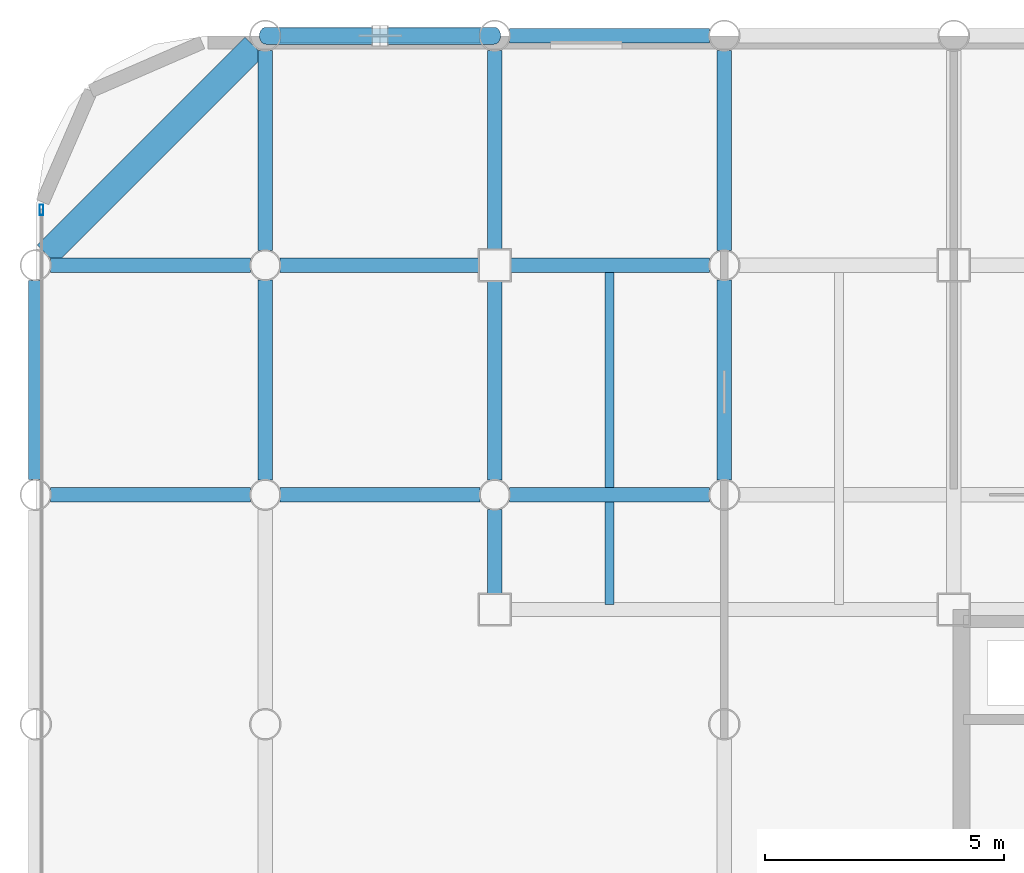
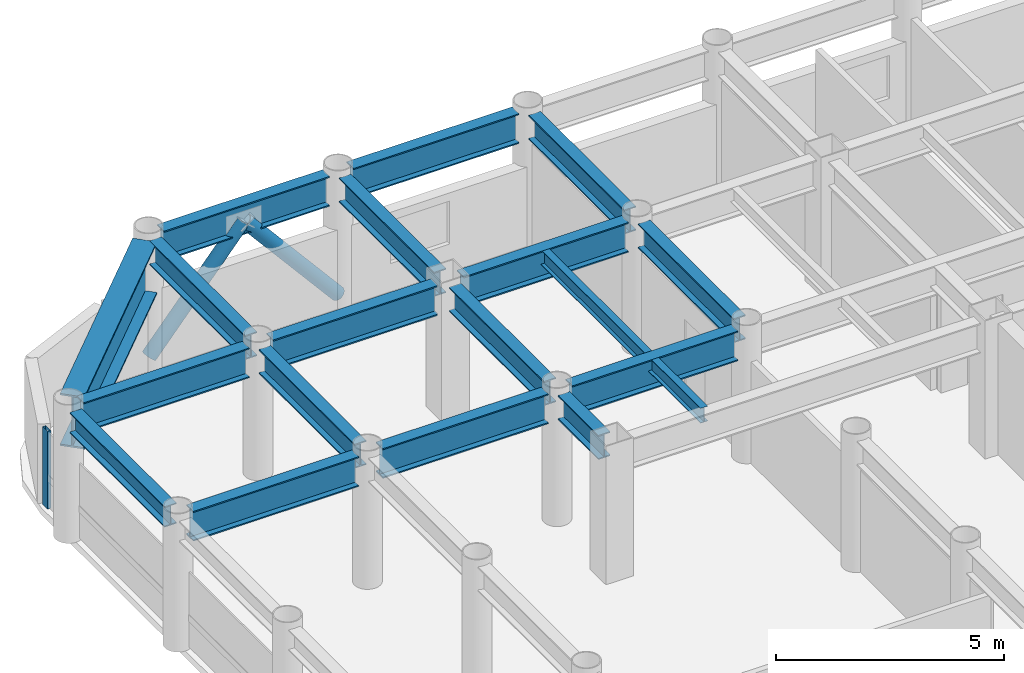
# One storey, part 9 of 19: 18 beams, 3 members, 1 element without a shape of its own.
"""IFC4 building model written with IfcOpenShell, lengths in metres."""

from ifc_helpers import new_model, si_unit, direction, frame, origin, origin_2d, place, context, subcontext, project, spatial, hollow_rectangle, hollow_circle, i_section, extrude, material, layer, layer_set, material_profile, profile_set, type_object, element, aggregate, save


model = new_model("IFC4")

# Units and contexts
model_context = context("Model", 3, precision=1e-05, world=origin(), true_north=direction((0.0, 1.0)))
body_context = subcontext(model_context, "Body", "Model", "MODEL_VIEW")
ifc_project = project(units=[si_unit("LENGTHUNIT", "METRE"), si_unit("AREAUNIT", "SQUARE_METRE"), si_unit("VOLUMEUNIT", "CUBIC_METRE"), si_unit("PLANEANGLEUNIT", "RADIAN"), si_unit("MASSUNIT", "GRAM", prefix="KILO")], contexts=[model_context])

# Site, building, storey
site_placement = place(None, origin())
site = spatial("IfcSite", under=ifc_project, at=site_placement, CompositionType="ELEMENT")
building_placement = place(site_placement, origin())
building = spatial("IfcBuilding", under=site, at=building_placement, Name="Kallvorn Hotel Tower", CompositionType="ELEMENT")
storey_placement = place(building_placement, frame((0.0, 0.0, 165.5)))
storey = spatial("IfcBuildingStorey", under=building, at=storey_placement, Name="L41", CompositionType="ELEMENT", Elevation=165.5)

# Beams
ifc_material_1 = material(Name="Structural steel S355JR", Category="steel")
ifc_material_profile_1 = material_profile(ifc_material_1, i_section(OverallWidth=0.300048828125, OverallDepth=0.550048828125, WebThickness=0.014892578125, FlangeThickness=0.029052734375, at=origin_2d()), Name="HE 550 B")
ifc_profile_set_1 = profile_set([ifc_material_profile_1], Name="Structural steel S355JR")
beam_type_1 = type_object("IfcBeamType", Name="BM_HE550B", PredefinedType="SPANDREL", material=ifc_profile_set_1)
beam_1_placement = place(storey_placement, frame((-33.60009765625, 9.919921875, 3.2451171875), z_axis=(0.0, 1.0, 0.0), x_axis=(-1.0, 0.0, 0.0)))
element("IfcBeam", 1, at=beam_1_placement, inside=storey, type_object=beam_type_1, Name="L42 Perimeter Spandrel 180", PredefinedType="SPANDREL", context=body_context, shape_type="SweptSolid", body=[
    extrude(i_section(OverallWidth=0.300048828125, OverallDepth=0.550048828125, WebThickness=0.014892578125, FlangeThickness=0.029052734375, at=origin_2d()), origin(), (0.0, 0.0, 1.0), 4.16015625),
])
ifc_material_2 = material(Name="Structural steel S355JR", Category="steel")
ifc_material_profile_2 = material_profile(ifc_material_2, i_section(OverallWidth=0.300048828125, OverallDepth=0.64990234375, WebThickness=0.01611328125, FlangeThickness=0.031005859375, at=origin_2d()), Name="HE 650 B")
ifc_profile_set_2 = profile_set([ifc_material_profile_2], Name="Structural steel S355JR")
beam_type_2 = type_object("IfcBeamType", Name="BM_HE650B", PredefinedType="BEAM", material=ifc_profile_set_2)
for number, where, z_axis, x_axis, name in (
    (2, (-28.800048828125, 9.905029296875, 3.195068359375), (0.0, 1.0, 0.0), (-1.0, 0.0, 0.0), "L42 Primary Y-Girder 80"),
    (3, (-28.800048828125, 14.705078125, 3.195068359375), (0.0, 1.0, 0.0), (-1.0, 0.0, 0.0), "L42 Primary Y-Girder 81"),
):
    element("IfcBeam", number, at=place(storey_placement, frame(where, z_axis=z_axis, x_axis=x_axis)), inside=storey, type_object=beam_type_2, Name=name, PredefinedType="BEAM", context=body_context, shape_type="SweptSolid", body=[
        extrude(i_section(OverallWidth=0.300048828125, OverallDepth=0.64990234375, WebThickness=0.01611328125, FlangeThickness=0.031005859375, at=origin_2d()), origin(), (0.0, 0.0, 1.0), 4.18994140625),
    ])
beam_2_placement = place(storey_placement, frame((-24.0, 7.52490234375, 3.195068359375), z_axis=(0.0, 1.0, 0.0), x_axis=(-1.0, 0.0, 0.0)))
element("IfcBeam", 4, at=beam_2_placement, inside=storey, type_object=beam_type_2, Name="L42 Primary Y-Girder 86", PredefinedType="BEAM", context=body_context, shape_type="SweptSolid", body=[
    extrude(i_section(OverallWidth=0.300048828125, OverallDepth=0.64990234375, WebThickness=0.01611328125, FlangeThickness=0.031005859375, at=origin_2d()), origin(), (0.0, 0.0, 1.0), 1.77001953125),
])
for number, where, z_axis, x_axis, name in (
    (5, (-24.0, 9.905029296875, 3.195068359375), (0.0, 1.0, 0.0), (-1.0, 0.0, 0.0), "L42 Primary Y-Girder 87"),
    (6, (-24.0, 14.72509765625, 3.195068359375), (0.0, 1.0, 0.0), (-1.0, 0.0, 0.0), "L42 Primary Y-Girder 88"),
):
    element("IfcBeam", number, at=place(storey_placement, frame(where, z_axis=z_axis, x_axis=x_axis)), inside=storey, type_object=beam_type_2, Name=name, PredefinedType="BEAM", context=body_context, shape_type="SweptSolid", body=[
        extrude(i_section(OverallWidth=0.300048828125, OverallDepth=0.64990234375, WebThickness=0.01611328125, FlangeThickness=0.031005859375, at=origin_2d()), origin(), (0.0, 0.0, 1.0), 4.169921875),
    ])
for number, where, z_axis, x_axis, name in (
    (7, (-19.199951171875, 9.905029296875, 3.195068359375), (0.0, 1.0, 0.0), (-1.0, 0.0, 0.0), "L42 Primary Y-Girder 96"),
    (8, (-19.199951171875, 14.705078125, 3.195068359375), (0.0, 1.0, 0.0), (-1.0, 0.0, 0.0), "L42 Primary Y-Girder 97"),
):
    element("IfcBeam", number, at=place(storey_placement, frame(where, z_axis=z_axis, x_axis=x_axis)), inside=storey, type_object=beam_type_2, Name=name, PredefinedType="BEAM", context=body_context, shape_type="SweptSolid", body=[
        extrude(i_section(OverallWidth=0.300048828125, OverallDepth=0.64990234375, WebThickness=0.01611328125, FlangeThickness=0.031005859375, at=origin_2d()), origin(), (0.0, 0.0, 1.0), 4.18994140625),
    ])
ifc_material_3 = material(Name="Structural steel S355JR", Category="steel")
ifc_material_profile_3 = material_profile(ifc_material_3, i_section(OverallWidth=0.300048828125, OverallDepth=0.800048828125, WebThickness=0.017578125, FlangeThickness=0.032958984375, at=origin_2d()), Name="HE 800 B")
ifc_profile_set_3 = profile_set([ifc_material_profile_3], Name="Structural steel S355JR")
beam_type_3 = type_object("IfcBeamType", Name="BM_HE800B", PredefinedType="BEAM", material=ifc_profile_set_3)
beam_3_placement = place(storey_placement, frame((-33.294921875, 9.60009765625, 3.1201171875), z_axis=(1.0, 0.0, 0.0), x_axis=(0.0, 1.0, 0.0)))
element("IfcBeam", 9, at=beam_3_placement, inside=storey, type_object=beam_type_3, Name="L42 Primary X-Girder 42", PredefinedType="BEAM", context=body_context, shape_type="SweptSolid", body=[
    extrude(i_section(OverallWidth=0.300048828125, OverallDepth=0.800048828125, WebThickness=0.017578125, FlangeThickness=0.032958984375, at=origin_2d()), origin(), (0.0, 0.0, 1.0), 4.18994140625),
])
for number, where, z_axis, x_axis, name in (
    (10, (-28.4951171875, 9.60009765625, 3.1201171875), (1.0, 0.0, 0.0), (0.0, 1.0, 0.0), "L42 Primary X-Girder 43"),
    (11, (-23.695068359375, 9.60009765625, 3.1201171875), (1.0, 0.0, 0.0), (0.0, 1.0, 0.0), "L42 Primary X-Girder 44"),
):
    element("IfcBeam", number, at=place(storey_placement, frame(where, z_axis=z_axis, x_axis=x_axis)), inside=storey, type_object=beam_type_3, Name=name, PredefinedType="BEAM", context=body_context, shape_type="SweptSolid", body=[
        extrude(i_section(OverallWidth=0.300048828125, OverallDepth=0.800048828125, WebThickness=0.017578125, FlangeThickness=0.032958984375, at=origin_2d()), origin(), (0.0, 0.0, 1.0), 4.190185546875),
    ])
beam_4_placement = place(storey_placement, frame((-33.294921875, 14.39990234375, 3.1201171875), z_axis=(1.0, 0.0, 0.0), x_axis=(0.0, 1.0, 0.0)))
element("IfcBeam", 12, at=beam_4_placement, inside=storey, type_object=beam_type_3, Name="L42 Primary X-Girder 51", PredefinedType="BEAM", context=body_context, shape_type="SweptSolid", body=[
    extrude(i_section(OverallWidth=0.300048828125, OverallDepth=0.800048828125, WebThickness=0.017578125, FlangeThickness=0.032958984375, at=origin_2d()), origin(), (0.0, 0.0, 1.0), 4.18994140625),
])
for number, where, z_axis, x_axis, name in (
    (13, (-28.4951171875, 14.39990234375, 3.1201171875), (1.0, 0.0, 0.0), (0.0, 1.0, 0.0), "L42 Primary X-Girder 52"),
    (14, (-23.675048828125, 14.39990234375, 3.1201171875), (1.0, 0.0, 0.0), (0.0, 1.0, 0.0), "L42 Primary X-Girder 53"),
):
    element("IfcBeam", number, at=place(storey_placement, frame(where, z_axis=z_axis, x_axis=x_axis)), inside=storey, type_object=beam_type_3, Name=name, PredefinedType="BEAM", context=body_context, shape_type="SweptSolid", body=[
        extrude(i_section(OverallWidth=0.300048828125, OverallDepth=0.800048828125, WebThickness=0.017578125, FlangeThickness=0.032958984375, at=origin_2d()), origin(), (0.0, 0.0, 1.0), 4.170166015625),
    ])
for number, where, z_axis, x_axis, name in (
    (15, (-28.4951171875, 19.199951171875, 3.1201171875), (1.0, 0.0, 0.0), (0.0, 1.0, 0.0), "L42 Primary X-Girder 61"),
    (16, (-23.695068359375, 19.199951171875, 3.1201171875), (1.0, 0.0, 0.0), (0.0, 1.0, 0.0), "L42 Primary X-Girder 62"),
):
    element("IfcBeam", number, at=place(storey_placement, frame(where, z_axis=z_axis, x_axis=x_axis)), inside=storey, type_object=beam_type_3, Name=name, PredefinedType="BEAM", context=body_context, shape_type="SweptSolid", body=[
        extrude(i_section(OverallWidth=0.300048828125, OverallDepth=0.800048828125, WebThickness=0.017578125, FlangeThickness=0.032958984375, at=origin_2d()), origin(), (0.0, 0.0, 1.0), 4.190185546875),
    ])
ifc_material_4 = material(Name="Structural steel S355JR", Category="steel")
ifc_material_profile_4 = material_profile(ifc_material_4, i_section(OverallWidth=0.179931640625, OverallDepth=0.39990234375, WebThickness=0.008544921875, FlangeThickness=0.013427734375, at=origin_2d()), Name="IPE 400")
ifc_profile_set_4 = profile_set([ifc_material_profile_4], Name="Structural steel S355JR")
beam_type_4 = type_object("IfcBeamType", Name="BM_IPE400", PredefinedType="JOIST", material=ifc_profile_set_4)
beam_5_placement = place(storey_placement, frame((-21.60009765625, 7.300048828125, 3.320068359375), z_axis=(0.0, 1.0, 0.0), x_axis=(-1.0, 0.0, 0.0)))
element("IfcBeam", 17, at=beam_5_placement, inside=storey, type_object=beam_type_4, Name="L42 Secondary Composite Joist 193", PredefinedType="JOIST", context=body_context, shape_type="SweptSolid", body=[
    extrude(i_section(OverallWidth=0.179931640625, OverallDepth=0.39990234375, WebThickness=0.008544921875, FlangeThickness=0.013427734375, at=origin_2d()), origin(), (0.0, 0.0, 1.0), 7.0),
])
ifc_material_5 = material(Name="Structural steel S355JR", Category="steel")
ifc_material_profile_5 = material_profile(ifc_material_5, i_section(OverallWidth=0.550048828125, OverallDepth=1.39990234375, WebThickness=0.02490234375, FlangeThickness=0.044921875, at=origin_2d()), Name="PG 1400x550x25x45")
ifc_profile_set_5 = profile_set([ifc_material_profile_5], Name="Structural steel S355JR")
beam_type_5 = type_object("IfcBeamType", Name="BM_PG_1400", PredefinedType="BEAM", material=ifc_profile_set_5)
beam_6_placement = place(storey_placement, frame((-33.373779296875, 14.626220703125, 2.820068359375), z_axis=(0.707106781187, 0.707106781187, 0.0), x_axis=(-0.707106781187, 0.707106781187, 0.0)))
element("IfcBeam", 18, at=beam_6_placement, inside=storey, type_object=beam_type_5, Name="L42 Rounded Corner Tie Beam 190", PredefinedType="BEAM", context=body_context, shape_type="SweptSolid", body=[
    extrude(i_section(OverallWidth=0.550048828125, OverallDepth=1.39990234375, WebThickness=0.02490234375, FlangeThickness=0.044921875, at=origin_2d()), origin(), (0.0, 0.0, 1.0), 6.148193359375),
])

# Curtain wall, member
ifc_material_6 = material(Name="Thermally broken black-anodised aluminium AA 6063-T6", Category="aluminium")
ifc_layer = layer(ifc_material_6, 0.2099609375)
ifc_layer_set = layer_set([ifc_layer], Name="CW_SYS_4_HOTEL_MID")
curtain_wall_type = type_object("IfcCurtainWallType", Name="CW_SYS_4_HOTEL_MID", PredefinedType="USERDEFINED", material=ifc_layer_set)
curtain_wall_placement = place(storey_placement, origin())
curtain_wall = element("IfcCurtainWall", 19, at=curtain_wall_placement, inside=storey, type_object=curtain_wall_type, Name="L41 Dark-Glass Curtain Wall CW-L41-WN", ObjectType="UNITISED CURTAIN WALL", PredefinedType="USERDEFINED")
ifc_material_7 = material(Name="Thermally broken black-anodised aluminium AA 6063-T6", Category="aluminium")
ifc_material_profile_6 = material_profile(ifc_material_7, hollow_rectangle(XDim=0.080078125, YDim=0.219970703125, WallThickness=0.0048828125, at=origin_2d()), Name="MUL 220x80")
ifc_profile_set_6 = profile_set([ifc_material_profile_6], Name="Thermally broken black-anodised aluminium AA 6063-T6")
member_type_1 = type_object("IfcMemberType", Name="CW_MULLION_220x80", PredefinedType="MULLION", material=ifc_profile_set_6)
member_placement = place(storey_placement, frame((-33.47998046875, 15.56005859375, 0.02001953125), z_axis=(0.0, 0.0, 1.0), x_axis=(1.0, 0.0, 0.0)))
member = element("IfcMember", 20, at=member_placement, type_object=member_type_1, Name="CW-L41-WN Mullion 01", PredefinedType="MULLION", context=body_context, shape_type="SweptSolid", body=[
    extrude(hollow_rectangle(XDim=0.080078125, YDim=0.219970703125, WallThickness=0.0048828125, at=origin_2d()), origin(), (0.0, 0.0, 1.0), 2.080078125),
])
aggregate(curtain_wall, [member])

# Members
ifc_material_8 = material(Name="Structural steel S355J2H", Category="steel")
ifc_material_profile_7 = material_profile(ifc_material_8, hollow_circle(Radius=0.177734375, WallThickness=0.01416015625, at=origin_2d()), Name="CHS 355.6x14.2")
ifc_profile_set_7 = profile_set([ifc_material_profile_7], Name="Structural steel S355J2H")
member_type_2 = type_object("IfcMemberType", Name="MBR_EXO_CHS355", PredefinedType="BRACE", material=ifc_profile_set_7)
for number, where, z_axis, x_axis, name in (
    (21, (-28.787109375, 19.199951171875, 0.1953125), (0.646833296797, 0.0, 0.762631422218), (0.0, 1.0, 0.0), "L41 Exoskeleton K-Brace N1A"),
    (22, (-24.012939453125, 19.199951171875, 0.1953125), (-0.646833296797, 0.0, 0.762631422218), (0.0, -1.0, 0.0), "L41 Exoskeleton K-Brace N1B"),
):
    element("IfcMember", number, at=place(storey_placement, frame(where, z_axis=z_axis, x_axis=x_axis)), inside=storey, type_object=member_type_2, Name=name, PredefinedType="BRACE", context=body_context, shape_type="SweptSolid", body=[
        extrude(hollow_circle(Radius=0.177734375, WallThickness=0.01416015625, at=origin_2d()), origin(), (0.0, 0.0, 1.0), 3.670654296875),
    ])

save(model, "model.ifc")
